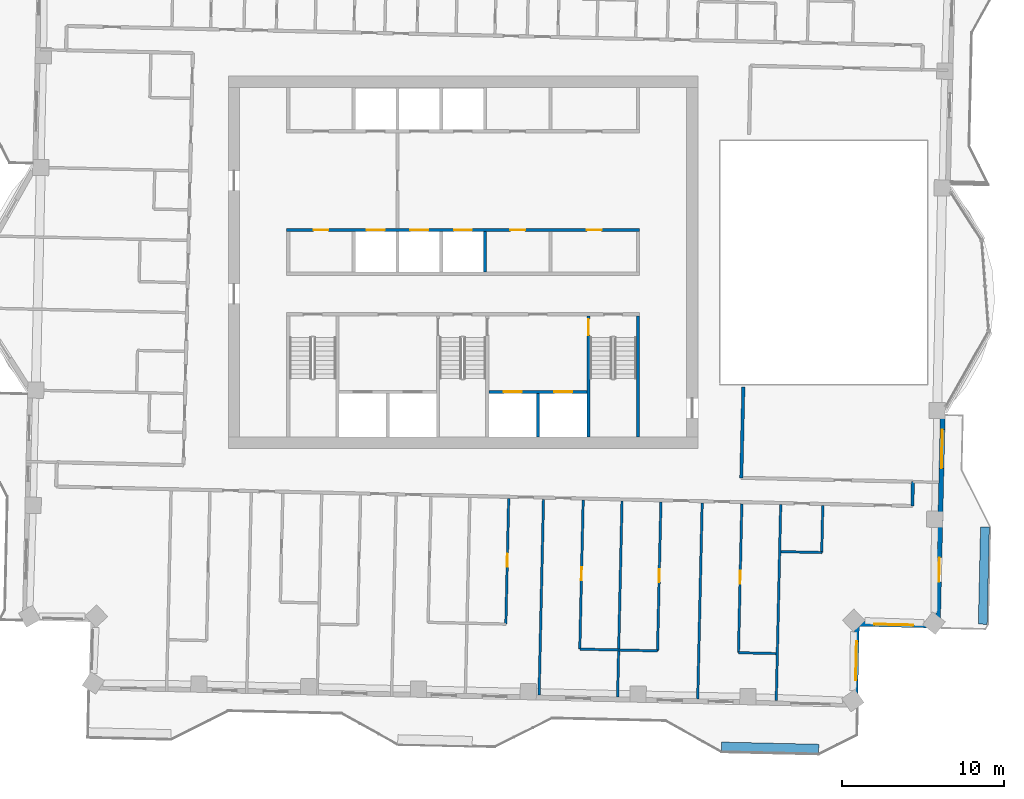
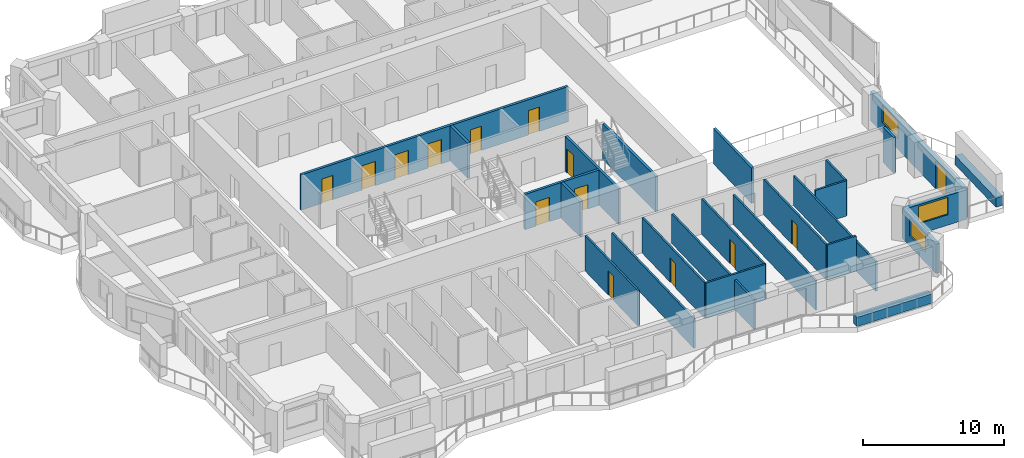
# One storey, part 9 of 17: 25 walls, 14 doors, 3 windows, 17 openings.
"""IFC4 building model written with IfcOpenShell, lengths in metres."""

from ifc_helpers import new_model, si_unit, direction, frame, frame_2d, origin, place, context, subcontext, project, spatial, rectangle, extrude, material, layer, layer_set, type_object, element, fill, save


model = new_model("IFC4")

# Units and contexts
model_context = context("Model", 3, precision=1e-05, world=origin(), true_north=direction((0.0, 1.0)))
body_context = subcontext(model_context, "Body", "Model", "MODEL_VIEW")
ifc_project = project(units=[si_unit("LENGTHUNIT", "METRE"), si_unit("AREAUNIT", "SQUARE_METRE"), si_unit("VOLUMEUNIT", "CUBIC_METRE"), si_unit("PLANEANGLEUNIT", "RADIAN"), si_unit("MASSUNIT", "GRAM", prefix="KILO")], contexts=[model_context])

# Site, building, storey
site_placement = place(None, origin())
site = spatial("IfcSite", under=ifc_project, at=site_placement, CompositionType="ELEMENT")
building_placement = place(site_placement, origin())
building = spatial("IfcBuilding", under=site, at=building_placement, Name="Mangrove Gate Tower", CompositionType="ELEMENT")
storey_placement = place(building_placement, frame((0.0, 0.0, 268.10009765625)))
storey = spatial("IfcBuildingStorey", under=building, at=storey_placement, Name="L68", CompositionType="ELEMENT", Elevation=268.10009765625)

# Wall, openings, doors
ifc_material_1 = material(Name="Concrete C50/60", Category="concrete")
ifc_layer_1 = layer(ifc_material_1, 0.199951171875)
ifc_layer_set_1 = layer_set([ifc_layer_1], Name="Core shaft wall 200 C50/60")
wall_type_1 = type_object("IfcWallType", Name="Core shaft wall 200 C50/60", PredefinedType="SHEAR", material=ifc_layer_set_1)
wall_1_placement = place(storey_placement, frame((-10.89990234375, 2.0, 0.0), z_axis=(0.0, 0.0, 1.0), x_axis=(1.0, 0.0, 0.0)))
wall_1 = element("IfcWall", 1, at=wall_1_placement, inside=storey, type_object=wall_type_1, Name="WALL-L68-CORE-7", PredefinedType="SHEAR", context=body_context, shape_type="SweptSolid", body=[
    extrude(rectangle(XDim=21.7998046875, YDim=0.199951171875, at=frame_2d((10.89990234375, 0.0))), origin(), (0.0, 0.0, 1.0), 3.0498046875),
])
opening_1_placement = place(wall_1_placement, frame((4.949951171875, 0.0, 0.0)))
opening_1 = element("IfcOpeningElement", 2, at=opening_1_placement, cuts=wall_1, Name="Opening LD", PredefinedType="OPENING", context=body_context, shape_type="SweptSolid", body=[
    extrude(rectangle(XDim=1.10009765625, YDim=2.10009765625, at=frame_2d((0.550048828125, 1.050048828125))), frame((0.0, 0.10986328125, 0.0), z_axis=(0.0, -1.0, 0.0), x_axis=(1.0, 0.0, 0.0)), (0.0, 0.0, 1.0), 0.219970703125),
])
opening_2_placement = place(wall_1_placement, frame((7.64990234375, 0.0, 0.0)))
opening_2 = element("IfcOpeningElement", 3, at=opening_2_placement, cuts=wall_1, Name="Opening LD", PredefinedType="OPENING", context=body_context, shape_type="SweptSolid", body=[
    extrude(rectangle(XDim=1.10009765625, YDim=2.10009765625, at=frame_2d((0.550048828125, 1.050048828125))), frame((0.0, 0.10986328125, 0.0), z_axis=(0.0, -1.0, 0.0), x_axis=(1.0, 0.0, 0.0)), (0.0, 0.0, 1.0), 0.219970703125),
])
opening_3_placement = place(wall_1_placement, frame((10.35009765625, 0.0, 0.0)))
opening_3 = element("IfcOpeningElement", 4, at=opening_3_placement, cuts=wall_1, Name="Opening LD", PredefinedType="OPENING", context=body_context, shape_type="SweptSolid", body=[
    extrude(rectangle(XDim=1.10009765625, YDim=2.10009765625, at=frame_2d((0.550048828125, 1.050048828125))), frame((0.0, 0.10986328125, 0.0), z_axis=(0.0, -1.0, 0.0), x_axis=(1.0, 0.0, 0.0)), (0.0, 0.0, 1.0), 0.219970703125),
])
opening_4_placement = place(wall_1_placement, frame((1.675048828125, 0.0, 0.0)))
opening_4 = element("IfcOpeningElement", 5, at=opening_4_placement, cuts=wall_1, Name="Opening KD", PredefinedType="OPENING", context=body_context, shape_type="SweptSolid", body=[
    extrude(rectangle(XDim=0.89990234375, YDim=2.10009765625, at=frame_2d((0.449951171875, 1.050048828125))), frame((0.0, 0.10986328125, 0.0), z_axis=(0.0, -1.0, 0.0), x_axis=(1.0, 0.0, 0.0)), (0.0, 0.0, 1.0), 0.219970703125),
])
opening_5_placement = place(wall_1_placement, frame((13.824951171875, 0.0, 0.0)))
opening_5 = element("IfcOpeningElement", 6, at=opening_5_placement, cuts=wall_1, Name="Opening RD", PredefinedType="OPENING", context=body_context, shape_type="SweptSolid", body=[
    extrude(rectangle(XDim=0.89990234375, YDim=2.10009765625, at=frame_2d((0.449951171875, 1.050048828125))), frame((0.0, 0.10986328125, 0.0), z_axis=(0.0, -1.0, 0.0), x_axis=(1.0, 0.0, 0.0)), (0.0, 0.0, 1.0), 0.219970703125),
])
opening_6_placement = place(wall_1_placement, frame((18.550048828125, 0.0, 0.0)))
opening_6 = element("IfcOpeningElement", 7, at=opening_6_placement, cuts=wall_1, Name="Opening KD", PredefinedType="OPENING", context=body_context, shape_type="SweptSolid", body=[
    extrude(rectangle(XDim=0.89990234375, YDim=2.10009765625, at=frame_2d((0.449951171875, 1.050048828125))), frame((0.0, 0.10986328125, 0.0), z_axis=(0.0, -1.0, 0.0), x_axis=(1.0, 0.0, 0.0)), (0.0, 0.0, 1.0), 0.219970703125),
])
ifc_material_2 = material(Name="Fire-rated steel door set", Category="steel")
door_type_1 = type_object("IfcDoorType", Name="Core room door FD30S 900x2100", OperationType="SINGLE_SWING_RIGHT", PredefinedType="DOOR", material=ifc_material_2)
door_1_placement = place(opening_4_placement, origin())
door_1 = element("IfcDoor", 8, at=door_1_placement, inside=storey, type_object=door_type_1, Name="Core room door Refuse store", OperationType="SINGLE_SWING_RIGHT", OverallHeight=2.10009765625, OverallWidth=0.89990234375, PredefinedType="DOOR", context=body_context, shape_type="SweptSolid", body=[
    extrude(rectangle(XDim=0.89990234375, YDim=2.10009765625, at=frame_2d((0.449951171875, 1.050048828125))), frame((0.0, 0.02490234375, 0.0), z_axis=(0.0, -1.0, 0.0), x_axis=(1.0, 0.0, 0.0)), (0.0, 0.0, 1.0), 0.050048828125),
])
fill(opening_4, door_1)
door_2_placement = place(opening_6_placement, origin())
door_2 = element("IfcDoor", 9, at=door_2_placement, inside=storey, type_object=door_type_1, Name="Core room door Linen store", OperationType="SINGLE_SWING_RIGHT", OverallHeight=2.10009765625, OverallWidth=0.89990234375, PredefinedType="DOOR", context=body_context, shape_type="SweptSolid", body=[
    extrude(rectangle(XDim=0.89990234375, YDim=2.10009765625, at=frame_2d((0.449951171875, 1.050048828125))), frame((0.0, 0.02490234375, 0.0), z_axis=(0.0, -1.0, 0.0), x_axis=(1.0, 0.0, 0.0)), (0.0, 0.0, 1.0), 0.050048828125),
])
fill(opening_6, door_2)
ifc_material_3 = material(Name="Stainless steel 316", Category="steel")
door_type_2 = type_object("IfcDoorType", Name="Lift landing door 1100x2100", OperationType="SLIDING_TO_LEFT", PredefinedType="DOOR", material=ifc_material_3)
door_3_placement = place(opening_1_placement, origin())
door_3 = element("IfcDoor", 10, at=door_3_placement, inside=storey, type_object=door_type_2, Name="Landing door LD H01", OperationType="SLIDING_TO_LEFT", OverallHeight=2.10009765625, OverallWidth=1.10009765625, PredefinedType="DOOR", context=body_context, shape_type="SweptSolid", body=[
    extrude(rectangle(XDim=1.10009765625, YDim=2.10009765625, at=frame_2d((0.550048828125, 1.050048828125))), frame((0.0, 0.02490234375, 0.0), z_axis=(0.0, -1.0, 0.0), x_axis=(1.0, 0.0, 0.0)), (0.0, 0.0, 1.0), 0.050048828125),
])
fill(opening_1, door_3)
door_4_placement = place(opening_2_placement, origin())
door_4 = element("IfcDoor", 11, at=door_4_placement, inside=storey, type_object=door_type_2, Name="Landing door LD H02", OperationType="SLIDING_TO_LEFT", OverallHeight=2.10009765625, OverallWidth=1.10009765625, PredefinedType="DOOR", context=body_context, shape_type="SweptSolid", body=[
    extrude(rectangle(XDim=1.10009765625, YDim=2.10009765625, at=frame_2d((0.550048828125, 1.050048828125))), frame((0.0, 0.02490234375, 0.0), z_axis=(0.0, -1.0, 0.0), x_axis=(1.0, 0.0, 0.0)), (0.0, 0.0, 1.0), 0.050048828125),
])
fill(opening_2, door_4)
door_5_placement = place(opening_3_placement, origin())
door_5 = element("IfcDoor", 12, at=door_5_placement, inside=storey, type_object=door_type_2, Name="Landing door LD H03", OperationType="SLIDING_TO_LEFT", OverallHeight=2.10009765625, OverallWidth=1.10009765625, PredefinedType="DOOR", context=body_context, shape_type="SweptSolid", body=[
    extrude(rectangle(XDim=1.10009765625, YDim=2.10009765625, at=frame_2d((0.550048828125, 1.050048828125))), frame((0.0, 0.02490234375, 0.0), z_axis=(0.0, -1.0, 0.0), x_axis=(1.0, 0.0, 0.0)), (0.0, 0.0, 1.0), 0.050048828125),
])
fill(opening_3, door_5)
ifc_material_4 = material(Name="Fire-rated steel door set", Category="steel")
door_type_3 = type_object("IfcDoorType", Name="Riser door FD30S 900x2100", OperationType="SINGLE_SWING_LEFT", PredefinedType="DOOR", material=ifc_material_4)
door_6_placement = place(opening_5_placement, origin())
door_6 = element("IfcDoor", 13, at=door_6_placement, inside=storey, type_object=door_type_3, Name="Riser door Electrical room", OperationType="SINGLE_SWING_LEFT", OverallHeight=2.10009765625, OverallWidth=0.89990234375, PredefinedType="DOOR", context=body_context, shape_type="SweptSolid", body=[
    extrude(rectangle(XDim=0.89990234375, YDim=2.10009765625, at=frame_2d((0.449951171875, 1.050048828125))), frame((0.0, 0.02490234375, 0.0), z_axis=(0.0, -1.0, 0.0), x_axis=(1.0, 0.0, 0.0)), (0.0, 0.0, 1.0), 0.050048828125),
])
fill(opening_5, door_6)

wall_2_placement = place(storey_placement, frame((1.60009765625, -8.0, 0.0), z_axis=(0.0, 0.0, 1.0), x_axis=(1.0, 0.0, 0.0)))
wall_2 = element("IfcWall", 14, at=wall_2_placement, inside=storey, type_object=wall_type_1, Name="WALL-L68-CORE-17", PredefinedType="SHEAR", context=body_context, shape_type="SweptSolid", body=[
    extrude(rectangle(XDim=6.0498046875, YDim=0.199951171875, at=frame_2d((3.02490234375, 0.0))), origin(), (0.0, 0.0, 1.0), 3.0498046875),
])
opening_7_placement = place(wall_2_placement, frame((0.91259765625, 0.0, 0.0)))
opening_7 = element("IfcOpeningElement", 15, at=opening_7_placement, cuts=wall_2, Name="Opening LD", PredefinedType="OPENING", context=body_context, shape_type="SweptSolid", body=[
    extrude(rectangle(XDim=1.10009765625, YDim=2.10009765625, at=frame_2d((0.550048828125, 1.050048828125))), frame((0.0, 0.10986328125, 0.0), z_axis=(0.0, -1.0, 0.0), x_axis=(1.0, 0.0, 0.0)), (0.0, 0.0, 1.0), 0.219970703125),
])
opening_8_placement = place(wall_2_placement, frame((4.03759765625, 0.0, 0.0)))
opening_8 = element("IfcOpeningElement", 16, at=opening_8_placement, cuts=wall_2, Name="Opening LD", PredefinedType="OPENING", context=body_context, shape_type="SweptSolid", body=[
    extrude(rectangle(XDim=1.10009765625, YDim=2.10009765625, at=frame_2d((0.550048828125, 1.050048828125))), frame((0.0, 0.10986328125, 0.0), z_axis=(0.0, -1.0, 0.0), x_axis=(1.0, 0.0, 0.0)), (0.0, 0.0, 1.0), 0.219970703125),
])
door_7_placement = place(opening_7_placement, origin())
door_7 = element("IfcDoor", 17, at=door_7_placement, inside=storey, type_object=door_type_2, Name="Landing door LD FFL1", OperationType="SLIDING_TO_LEFT", OverallHeight=2.10009765625, OverallWidth=1.10009765625, PredefinedType="DOOR", context=body_context, shape_type="SweptSolid", body=[
    extrude(rectangle(XDim=1.10009765625, YDim=2.10009765625, at=frame_2d((0.550048828125, 1.050048828125))), frame((0.0, 0.02490234375, 0.0), z_axis=(0.0, -1.0, 0.0), x_axis=(1.0, 0.0, 0.0)), (0.0, 0.0, 1.0), 0.050048828125),
])
fill(opening_7, door_7)
door_8_placement = place(opening_8_placement, origin())
door_8 = element("IfcDoor", 18, at=door_8_placement, inside=storey, type_object=door_type_2, Name="Landing door LD FFL2", OperationType="SLIDING_TO_LEFT", OverallHeight=2.10009765625, OverallWidth=1.10009765625, PredefinedType="DOOR", context=body_context, shape_type="SweptSolid", body=[
    extrude(rectangle(XDim=1.10009765625, YDim=2.10009765625, at=frame_2d((0.550048828125, 1.050048828125))), frame((0.0, 0.02490234375, 0.0), z_axis=(0.0, -1.0, 0.0), x_axis=(1.0, 0.0, 0.0)), (0.0, 0.0, 1.0), 0.050048828125),
])
fill(opening_8, door_8)

# Walls
wall_3_placement = place(storey_placement, frame((4.625, -10.800048828125, 0.0), z_axis=(0.0, 0.0, 1.0), x_axis=(0.0, 1.0, 0.0)))
element("IfcWall", 19, at=wall_3_placement, inside=storey, type_object=wall_type_1, Name="WALL-L68-CORE-18", PredefinedType="SHEAR", context=body_context, shape_type="SweptSolid", body=[
    extrude(rectangle(XDim=2.699951171875, YDim=0.199951171875, at=frame_2d((1.35009765625, 0.0))), origin(), (0.0, 0.0, 1.0), 3.0498046875),
])
wall_4_placement = place(storey_placement, frame((1.35009765625, -0.60009765625, 0.0), z_axis=(0.0, 0.0, 1.0), x_axis=(0.0, 1.0, 0.0)))
element("IfcWall", 20, at=wall_4_placement, inside=storey, type_object=wall_type_1, Name="WALL-L68-CORE-23", PredefinedType="SHEAR", context=body_context, shape_type="SweptSolid", body=[
    extrude(rectangle(XDim=2.5, YDim=0.199951171875, at=frame_2d((1.25, 0.0))), origin(), (0.0, 0.0, 1.0), 3.0498046875),
])

# Wall, opening, door
ifc_material_5 = material(Name="Concrete C50/60", Category="concrete")
ifc_layer_2 = layer(ifc_material_5, 0.199951171875)
ifc_layer_set_2 = layer_set([ifc_layer_2], Name="Core stair wall 200 C50/60")
wall_type_2 = type_object("IfcWallType", Name="Core stair wall 200 C50/60", PredefinedType="SHEAR", material=ifc_layer_set_2)
wall_5_placement = place(storey_placement, frame((7.75, -10.800048828125, 0.0), z_axis=(0.0, 0.0, 1.0), x_axis=(0.0, 1.0, 0.0)))
wall_5 = element("IfcWall", 21, at=wall_5_placement, inside=storey, type_object=wall_type_2, Name="WALL-L68-CORE-13", PredefinedType="SHEAR", context=body_context, shape_type="SweptSolid", body=[
    extrude(rectangle(XDim=7.5, YDim=0.199951171875, at=frame_2d((3.75, 0.0))), origin(), (0.0, 0.0, 1.0), 3.0498046875),
])
opening_9_placement = place(wall_5_placement, frame((6.300048828125, 0.0, 0.0)))
opening_9 = element("IfcOpeningElement", 22, at=opening_9_placement, cuts=wall_5, Name="Opening STD10", PredefinedType="OPENING", context=body_context, shape_type="SweptSolid", body=[
    extrude(rectangle(XDim=1.0, YDim=2.10009765625, at=frame_2d((0.5, 1.050048828125))), frame((0.0, 0.10986328125, 0.0), z_axis=(0.0, -1.0, 0.0), x_axis=(1.0, 0.0, 0.0)), (0.0, 0.0, 1.0), 0.219970703125),
])
ifc_material_6 = material(Name="Fire-rated steel door set", Category="steel")
door_type_4 = type_object("IfcDoorType", Name="Stair door FD60 1000x2100", OperationType="SINGLE_SWING_RIGHT", PredefinedType="DOOR", material=ifc_material_6)
door_9_placement = place(opening_9_placement, origin())
door_9 = element("IfcDoor", 23, at=door_9_placement, inside=storey, type_object=door_type_4, Name="Stair door Stair 3 from fire-fighting lobby", OperationType="SINGLE_SWING_RIGHT", OverallHeight=2.10009765625, OverallWidth=1.0, PredefinedType="DOOR", context=body_context, shape_type="SweptSolid", body=[
    extrude(rectangle(XDim=1.0, YDim=2.10009765625, at=frame_2d((0.5, 1.050048828125))), frame((0.0, 0.02490234375, 0.0), z_axis=(0.0, -1.0, 0.0), x_axis=(1.0, 0.0, 0.0)), (0.0, 0.0, 1.0), 0.050048828125),
])
fill(opening_9, door_9)

# Walls
wall_6_placement = place(storey_placement, frame((10.800048828125, -10.800048828125, 0.0), z_axis=(0.0, 0.0, 1.0), x_axis=(0.0, 1.0, 0.0)))
element("IfcWall", 24, at=wall_6_placement, inside=storey, type_object=wall_type_2, Name="WALL-L68-CORE-14", PredefinedType="SHEAR", context=body_context, shape_type="SweptSolid", body=[
    extrude(rectangle(XDim=7.5, YDim=0.199951171875, at=frame_2d((3.75, 0.0))), origin(), (0.0, 0.0, 1.0), 3.0498046875),
])
ifc_material_7 = material(Name="Gypsum board on steel stud, EI 60", Category="steel")
ifc_layer_3 = layer(ifc_material_7, 0.199951171875)
ifc_layer_set_3 = layer_set([ifc_layer_3], Name="Corridor wall EI 60")
wall_type_3 = type_object("IfcWallType", Name="Corridor wall EI 60", PredefinedType="PARTITIONING", material=ifc_layer_set_3)
wall_7_placement = place(storey_placement, frame((27.742919921875, -15.047119140625, 0.0), z_axis=(0.0, 0.0, 1.0), x_axis=(0.022780545013, 0.999740489712, 0.0)))
element("IfcWall", 25, at=wall_7_placement, inside=storey, type_object=wall_type_3, Name="WALL-L68-028", PredefinedType="PARTITIONING", context=body_context, shape_type="SweptSolid", body=[
    extrude(rectangle(XDim=1.50048828125, YDim=0.199951171875, at=frame_2d((0.750244140625, 0.0))), origin(), (0.0, 0.0, 1.0), 3.0498046875),
])
wall_8_placement = place(storey_placement, frame((17.179931640625, -13.305908203125, 0.0), z_axis=(0.0, 0.0, 1.0), x_axis=(0.022584272568, 0.999744942789, 0.0)))
element("IfcWall", 26, at=wall_8_placement, inside=storey, type_object=wall_type_3, Name="WALL-L68-033", PredefinedType="PARTITIONING", context=body_context, shape_type="SweptSolid", body=[
    extrude(rectangle(XDim=5.621337890625, YDim=0.199951171875, at=frame_2d((2.810546875, 0.0))), origin(), (0.0, 0.0, 1.0), 3.0498046875),
])

# Wall, openings, door, window
ifc_material_8 = material(Name="Limestone", Category="masonry")
ifc_layer_4 = layer(ifc_material_8, 0.0400390625, Name="Limestone cladding")
ifc_material_9 = material(Name="Ventilated air gap")
ifc_layer_5 = layer(ifc_material_9, 0.0400390625, Name="Ventilated cavity")
ifc_material_10 = material(Name="Mineral wool insulation")
ifc_layer_6 = layer(ifc_material_10, 0.06005859375, Name="Insulation")
ifc_material_11 = material(Name="Breather membrane")
ifc_layer_7 = layer(ifc_material_11, 0.001953125, Name="Breather membrane")
ifc_material_12 = material(Name="Concrete C20/25 blockwork", Category="masonry")
ifc_layer_8 = layer(ifc_material_12, 0.14990234375, Name="Blockwork backing wall")
ifc_material_13 = material(Name="Gypsum plaster")
ifc_layer_9 = layer(ifc_material_13, 0.008056640625, Name="Internal plaster")
ifc_layer_set_4 = layer_set([ifc_layer_4, ifc_layer_5, ifc_layer_6, ifc_layer_7, ifc_layer_8, ifc_layer_9], Name="External wall 300 limestone cladding")
wall_type_4 = type_object("IfcWallType", Name="External wall 300 limestone cladding", PredefinedType="SOLIDWALL", material=ifc_layer_set_4)
wall_9_placement = place(storey_placement, frame((29.322021484375, -22.43408203125, 0.0), z_axis=(0.0, 0.0, 1.0), x_axis=(0.022651350875, 0.999743425236, 0.0)))
wall_9 = element("IfcWall", 27, at=wall_9_placement, inside=storey, type_object=wall_type_4, Name="WALL-L68-E0s1", PredefinedType="SOLIDWALL", context=body_context, shape_type="SweptSolid", body=[
    extrude(rectangle(XDim=13.7744140625, YDim=0.300048828125, at=frame_2d((6.88720703125, 0.0))), origin(), (0.0, 0.0, 1.0), 2.5498046875),
])
opening_10_placement = place(wall_9_placement, frame((2.705078125, 0.0, 0.0)))
opening_10 = element("IfcOpeningElement", 28, at=opening_10_placement, cuts=wall_9, Name="Opening BD1", PredefinedType="OPENING", context=body_context, shape_type="SweptSolid", body=[
    extrude(rectangle(XDim=1.5, YDim=2.39990234375, at=frame_2d((0.75, 1.199951171875))), frame((0.0, 0.159912109375, 0.0), z_axis=(0.0, -1.0, 0.0), x_axis=(1.0, 0.0, 0.0)), (0.0, 0.0, 1.0), 0.320068359375),
])
opening_11_placement = place(wall_9_placement, frame((9.712890625, 0.0, 0.89990234375)))
opening_11 = element("IfcOpeningElement", 29, at=opening_11_placement, cuts=wall_9, Name="Opening W2", PredefinedType="OPENING", context=body_context, shape_type="SweptSolid", body=[
    extrude(rectangle(XDim=2.39990234375, YDim=1.5, at=frame_2d((1.199951171875, 0.75))), frame((0.0, 0.159912109375, 0.0), z_axis=(0.0, -1.0, 0.0), x_axis=(1.0, 0.0, 0.0)), (0.0, 0.0, 1.0), 0.320068359375),
])
ifc_material_14 = material(Name="Aluminium frame with laminated clear glass", Category="aluminium")
door_type_5 = type_object("IfcDoorType", Name="Balcony sliding door 1500x2400", OperationType="SLIDING_TO_LEFT", PredefinedType="DOOR", material=ifc_material_14)
door_10_placement = place(opening_10_placement, origin())
door_10 = element("IfcDoor", 30, at=door_10_placement, inside=storey, type_object=door_type_5, Name="DOOR-L68-E0-1", OperationType="SLIDING_TO_LEFT", OverallHeight=2.39990234375, OverallWidth=1.5, PredefinedType="DOOR", context=body_context, shape_type="SweptSolid", body=[
    extrude(rectangle(XDim=1.5, YDim=2.39990234375, at=frame_2d((0.75, 1.199951171875))), frame((0.0, 0.02490234375, 0.0), z_axis=(0.0, -1.0, 0.0), x_axis=(1.0, 0.0, 0.0)), (0.0, 0.0, 1.0), 0.050048828125),
])
fill(opening_10, door_10)
ifc_material_15 = material(Name="Aluminium frame with double-glazed low-e glass", Category="aluminium")
window_type = type_object("IfcWindowType", Name="Corner room window 2400x1500", PartitioningType="DOUBLE_PANEL_VERTICAL", PredefinedType="WINDOW", material=ifc_material_15)
window_1_placement = place(opening_11_placement, origin())
window_1 = element("IfcWindow", 31, at=window_1_placement, inside=storey, type_object=window_type, Name="WIN-L68-E0-2", OverallHeight=1.5, OverallWidth=2.39990234375, PartitioningType="DOUBLE_PANEL_VERTICAL", PredefinedType="WINDOW", context=body_context, shape_type="SweptSolid", body=[
    extrude(rectangle(XDim=2.39990234375, YDim=1.5, at=frame_2d((1.199951171875, 0.75))), frame((0.0, 0.030029296875, 0.0), z_axis=(0.0, -1.0, 0.0), x_axis=(1.0, 0.0, 0.0)), (0.0, 0.0, 1.0), 0.06005859375),
])
fill(opening_11, window_1)

# Wall, opening, window
wall_10_placement = place(storey_placement, frame((24.208984375, -27.320068359375, 0.0), z_axis=(0.0, 0.0, 1.0), x_axis=(0.022801259434, 0.999740017489, 0.0)))
wall_10 = element("IfcWall", 32, at=wall_10_placement, inside=storey, type_object=wall_type_4, Name="WALL-L68-E14", PredefinedType="SOLIDWALL", context=body_context, shape_type="SweptSolid", body=[
    extrude(rectangle(XDim=5.000244140625, YDim=0.300048828125, at=frame_2d((2.5, 0.0))), origin(), (0.0, 0.0, 1.0), 2.5498046875),
])
opening_12_placement = place(wall_10_placement, frame((1.52392578125, 0.0, 0.89990234375)))
opening_12 = element("IfcOpeningElement", 33, at=opening_12_placement, cuts=wall_10, Name="Opening W2", PredefinedType="OPENING", context=body_context, shape_type="SweptSolid", body=[
    extrude(rectangle(XDim=2.39990234375, YDim=1.5, at=frame_2d((1.199951171875, 0.75))), frame((0.0, 0.159912109375, 0.0), z_axis=(0.0, -1.0, 0.0), x_axis=(1.0, 0.0, 0.0)), (0.0, 0.0, 1.0), 0.320068359375),
])
window_2_placement = place(opening_12_placement, origin())
window_2 = element("IfcWindow", 34, at=window_2_placement, inside=storey, type_object=window_type, Name="WIN-L68-E14-1", OverallHeight=1.5, OverallWidth=2.39990234375, PartitioningType="DOUBLE_PANEL_VERTICAL", PredefinedType="WINDOW", context=body_context, shape_type="SweptSolid", body=[
    extrude(rectangle(XDim=2.39990234375, YDim=1.5, at=frame_2d((1.199951171875, 0.75))), frame((0.0, 0.030029296875, 0.0), z_axis=(0.0, -1.0, 0.0), x_axis=(1.0, 0.0, 0.0)), (0.0, 0.0, 1.0), 0.06005859375),
])
fill(opening_12, window_2)

wall_11_placement = place(storey_placement, frame((24.322998046875, -22.321044921875, 0.0), z_axis=(0.0, 0.0, 1.0), x_axis=(0.999744450377, -0.022606059803, 0.0)))
wall_11 = element("IfcWall", 35, at=wall_11_placement, inside=storey, type_object=wall_type_4, Name="WALL-L68-S15", PredefinedType="SOLIDWALL", context=body_context, shape_type="SweptSolid", body=[
    extrude(rectangle(XDim=5.000244140625, YDim=0.300048828125, at=frame_2d((2.5, 0.0))), origin(), (0.0, 0.0, 1.0), 2.5498046875),
])
opening_13_placement = place(wall_11_placement, frame((1.075927734375, 0.0, 0.89990234375)))
opening_13 = element("IfcOpeningElement", 36, at=opening_13_placement, cuts=wall_11, Name="Opening W2", PredefinedType="OPENING", context=body_context, shape_type="SweptSolid", body=[
    extrude(rectangle(XDim=2.39990234375, YDim=1.5, at=frame_2d((1.199951171875, 0.75))), frame((0.0, 0.159912109375, 0.0), z_axis=(0.0, -1.0, 0.0), x_axis=(1.0, 0.0, 0.0)), (0.0, 0.0, 1.0), 0.320068359375),
])
window_3_placement = place(opening_13_placement, origin())
window_3 = element("IfcWindow", 37, at=window_3_placement, inside=storey, type_object=window_type, Name="WIN-L68-S15-1", OverallHeight=1.5, OverallWidth=2.39990234375, PartitioningType="DOUBLE_PANEL_VERTICAL", PredefinedType="WINDOW", context=body_context, shape_type="SweptSolid", body=[
    extrude(rectangle(XDim=2.39990234375, YDim=1.5, at=frame_2d((1.199951171875, 0.75))), frame((0.0, 0.030029296875, 0.0), z_axis=(0.0, -1.0, 0.0), x_axis=(1.0, 0.0, 0.0)), (0.0, 0.0, 1.0), 0.06005859375),
])
fill(opening_13, window_3)

# Walls
ifc_material_16 = material(Name="Gypsum board on steel stud, EI 60", Category="steel")
ifc_layer_10 = layer(ifc_material_16, 0.14990234375)
ifc_layer_set_5 = layer_set([ifc_layer_10], Name="Party wall 150 EI 60")
wall_type_5 = type_object("IfcWallType", Name="Party wall 150 EI 60", PredefinedType="PARTITIONING", material=ifc_layer_set_5)
wall_12_placement = place(storey_placement, frame((4.69189453125, -26.72705078125, 0.0), z_axis=(0.0, 0.0, 1.0), x_axis=(0.022658157282, 0.999743270999, 0.0)))
element("IfcWall", 38, at=wall_12_placement, inside=storey, type_object=wall_type_5, Name="WALL-L68-006", PredefinedType="PARTITIONING", context=body_context, shape_type="SweptSolid", body=[
    extrude(rectangle(XDim=12.100341796875, YDim=0.14990234375, at=frame_2d((6.05029296875, 0.0))), origin(), (0.0, 0.0, 1.0), 2.5498046875),
])
for number, where, z_axis, x_axis, name in (
    (39, (9.541015625, -26.8369140625, 0.0), (0.0, 0.0, 1.0), (0.02263844782, 0.9997437175, 0.0), "WALL-L68-007"),
    (40, (14.489013671875, -26.948974609375, 0.0), (0.0, 0.0, 1.0), (0.022719113715, 0.999741887625, 0.0), "WALL-L68-008"),
):
    element("IfcWall", number, at=place(storey_placement, frame(where, z_axis=z_axis, x_axis=x_axis)), inside=storey, type_object=wall_type_5, Name=name, PredefinedType="PARTITIONING", context=body_context, shape_type="SweptSolid", body=[
        extrude(rectangle(XDim=12.10009765625, YDim=0.14990234375, at=frame_2d((6.050048828125, 0.0))), origin(), (0.0, 0.0, 1.0), 2.5498046875),
    ])
wall_13_placement = place(storey_placement, frame((19.337890625, -27.05908203125, 0.0), z_axis=(0.0, 0.0, 1.0), x_axis=(0.022738821441, 0.999741439573, 0.0)))
element("IfcWall", 41, at=wall_13_placement, inside=storey, type_object=wall_type_5, Name="WALL-L68-009", PredefinedType="PARTITIONING", context=body_context, shape_type="SweptSolid", body=[
    extrude(rectangle(XDim=12.100341796875, YDim=0.14990234375, at=frame_2d((6.05029296875, 0.0))), origin(), (0.0, 0.0, 1.0), 2.5498046875),
])

# Wall, opening, door
wall_14_placement = place(storey_placement, frame((7.20703125, -23.883056640625, 0.0), z_axis=(0.0, 0.0, 1.0), x_axis=(0.02271477479, 0.999741986218, 0.0)))
wall_14 = element("IfcWall", 42, at=wall_14_placement, inside=storey, type_object=wall_type_5, Name="WALL-L68-012", PredefinedType="PARTITIONING", context=body_context, shape_type="SweptSolid", body=[
    extrude(rectangle(XDim=9.200439453125, YDim=0.14990234375, at=frame_2d((4.60009765625, 0.0))), origin(), (0.0, 0.0, 1.0), 3.0498046875),
])
opening_14_placement = place(wall_14_placement, frame((4.25, 0.0, 0.0)))
opening_14 = element("IfcOpeningElement", 43, at=opening_14_placement, cuts=wall_14, Name="Opening ED", PredefinedType="OPENING", context=body_context, shape_type="SweptSolid", body=[
    extrude(rectangle(XDim=0.800048828125, YDim=2.10009765625, at=frame_2d((0.39990234375, 1.050048828125))), frame((0.0, 0.0849609375, 0.0), z_axis=(0.0, -1.0, 0.0), x_axis=(1.0, 0.0, 0.0)), (0.0, 0.0, 1.0), 0.169921875),
])
ifc_material_17 = material(Name="Timber door leaf", Category="wood")
door_type_6 = type_object("IfcDoorType", Name="En-suite door 800", OperationType="SINGLE_SWING_LEFT", PredefinedType="DOOR", material=ifc_material_17)
door_11_placement = place(opening_14_placement, origin())
door_11 = element("IfcDoor", 44, at=door_11_placement, inside=storey, type_object=door_type_6, Name="DOOR-L68-ENS-c206", OperationType="SINGLE_SWING_RIGHT", OverallHeight=2.10009765625, OverallWidth=0.800048828125, PredefinedType="DOOR", context=body_context, shape_type="SweptSolid", body=[
    extrude(rectangle(XDim=0.800048828125, YDim=2.10009765625, at=frame_2d((0.39990234375, 1.050048828125))), frame((0.0, 0.02490234375, 0.0), z_axis=(0.0, -1.0, 0.0), x_axis=(1.0, 0.0, 0.0)), (0.0, 0.0, 1.0), 0.050048828125),
])
fill(opening_14, door_11)

# Wall
wall_15_placement = place(storey_placement, frame((7.2109375, -23.883056640625, 0.0), z_axis=(0.0, 0.0, 1.0), x_axis=(0.999742701292, -0.022683280499, 0.0)))
element("IfcWall", 45, at=wall_15_placement, inside=storey, type_object=wall_type_5, Name="WALL-L68-013", PredefinedType="PARTITIONING", context=body_context, shape_type="SweptSolid", body=[
    extrude(rectangle(XDim=4.80029296875, YDim=0.14990234375, at=frame_2d((2.400146484375, 0.0))), origin(), (0.0, 0.0, 1.0), 3.0498046875),
])

# Wall, opening, door
wall_16_placement = place(storey_placement, frame((12.006103515625, -23.991943359375, 0.0), z_axis=(0.0, 0.0, 1.0), x_axis=(0.02271477479, 0.999741986218, 0.0)))
wall_16 = element("IfcWall", 46, at=wall_16_placement, inside=storey, type_object=wall_type_5, Name="WALL-L68-014", PredefinedType="PARTITIONING", context=body_context, shape_type="SweptSolid", body=[
    extrude(rectangle(XDim=9.200439453125, YDim=0.14990234375, at=frame_2d((4.60009765625, 0.0))), origin(), (0.0, 0.0, 1.0), 3.0498046875),
])
opening_15_placement = place(wall_16_placement, frame((4.25, 0.0, 0.0)))
opening_15 = element("IfcOpeningElement", 47, at=opening_15_placement, cuts=wall_16, Name="Opening ED", PredefinedType="OPENING", context=body_context, shape_type="SweptSolid", body=[
    extrude(rectangle(XDim=0.800048828125, YDim=2.10009765625, at=frame_2d((0.39990234375, 1.050048828125))), frame((0.0, 0.0849609375, 0.0), z_axis=(0.0, -1.0, 0.0), x_axis=(1.0, 0.0, 0.0)), (0.0, 0.0, 1.0), 0.169921875),
])
door_12_placement = place(opening_15_placement, origin())
door_12 = element("IfcDoor", 48, at=door_12_placement, inside=storey, type_object=door_type_6, Name="DOOR-L68-ENS-c207", OperationType="SINGLE_SWING_LEFT", OverallHeight=2.10009765625, OverallWidth=0.800048828125, PredefinedType="DOOR", context=body_context, shape_type="SweptSolid", body=[
    extrude(rectangle(XDim=0.800048828125, YDim=2.10009765625, at=frame_2d((0.39990234375, 1.050048828125))), frame((0.0, 0.02490234375, 0.0), z_axis=(0.0, -1.0, 0.0), x_axis=(1.0, 0.0, 0.0)), (0.0, 0.0, 1.0), 0.050048828125),
])
fill(opening_15, door_12)

wall_17_placement = place(storey_placement, frame((17.0048828125, -24.10498046875, 0.0), z_axis=(0.0, 0.0, 1.0), x_axis=(0.022611084784, 0.999744336741, 0.0)))
wall_17 = element("IfcWall", 49, at=wall_17_placement, inside=storey, type_object=wall_type_5, Name="WALL-L68-015", PredefinedType="PARTITIONING", context=body_context, shape_type="SweptSolid", body=[
    extrude(rectangle(XDim=9.199462890625, YDim=0.14990234375, at=frame_2d((4.599609375, 0.0))), origin(), (0.0, 0.0, 1.0), 3.0498046875),
])
opening_16_placement = place(wall_17_placement, frame((4.25, 0.0, 0.0)))
opening_16 = element("IfcOpeningElement", 50, at=opening_16_placement, cuts=wall_17, Name="Opening ED", PredefinedType="OPENING", context=body_context, shape_type="SweptSolid", body=[
    extrude(rectangle(XDim=0.800048828125, YDim=2.10009765625, at=frame_2d((0.39990234375, 1.050048828125))), frame((0.0, 0.0849609375, 0.0), z_axis=(0.0, -1.0, 0.0), x_axis=(1.0, 0.0, 0.0)), (0.0, 0.0, 1.0), 0.169921875),
])
door_13_placement = place(opening_16_placement, origin())
door_13 = element("IfcDoor", 51, at=door_13_placement, inside=storey, type_object=door_type_6, Name="DOOR-L68-ENS-c308", OperationType="SINGLE_SWING_RIGHT", OverallHeight=2.10009765625, OverallWidth=0.800048828125, PredefinedType="DOOR", context=body_context, shape_type="SweptSolid", body=[
    extrude(rectangle(XDim=0.800048828125, YDim=2.10009765625, at=frame_2d((0.39990234375, 1.050048828125))), frame((0.0, 0.02490234375, 0.0), z_axis=(0.0, -1.0, 0.0), x_axis=(1.0, 0.0, 0.0)), (0.0, 0.0, 1.0), 0.050048828125),
])
fill(opening_16, door_13)

# Wall
wall_18_placement = place(storey_placement, frame((17.009033203125, -24.10498046875, 0.0), z_axis=(0.0, 0.0, 1.0), x_axis=(0.999740260747, -0.02279059109, 0.0)))
element("IfcWall", 52, at=wall_18_placement, inside=storey, type_object=wall_type_5, Name="WALL-L68-016", PredefinedType="PARTITIONING", context=body_context, shape_type="SweptSolid", body=[
    extrude(rectangle(XDim=2.324462890625, YDim=0.14990234375, at=frame_2d((1.162109375, 0.0))), origin(), (0.0, 0.0, 1.0), 3.0498046875),
])

# Wall, opening, door
wall_19_placement = place(storey_placement, frame((2.64111328125, -22.339111328125, 0.0), z_axis=(0.0, 0.0, 1.0), x_axis=(0.022652083401, 0.999743408639, 0.0)))
wall_19 = element("IfcWall", 53, at=wall_19_placement, inside=storey, type_object=wall_type_5, Name="WALL-L68-021", PredefinedType="PARTITIONING", context=body_context, shape_type="SweptSolid", body=[
    extrude(rectangle(XDim=7.760009765625, YDim=0.14990234375, at=frame_2d((3.8798828125, 0.0))), origin(), (0.0, 0.0, 1.0), 3.0498046875),
])
opening_17_placement = place(wall_19_placement, frame((3.530029296875, 0.0, 0.0)))
opening_17 = element("IfcOpeningElement", 54, at=opening_17_placement, cuts=wall_19, Name="Opening ED", PredefinedType="OPENING", context=body_context, shape_type="SweptSolid", body=[
    extrude(rectangle(XDim=0.800048828125, YDim=2.10009765625, at=frame_2d((0.39990234375, 1.050048828125))), frame((0.0, 0.0849609375, 0.0), z_axis=(0.0, -1.0, 0.0), x_axis=(1.0, 0.0, 0.0)), (0.0, 0.0, 1.0), 0.169921875),
])
door_14_placement = place(opening_17_placement, origin())
door_14 = element("IfcDoor", 55, at=door_14_placement, inside=storey, type_object=door_type_6, Name="DOOR-L68-ENS-c205", OperationType="SINGLE_SWING_LEFT", OverallHeight=2.10009765625, OverallWidth=0.800048828125, PredefinedType="DOOR", context=body_context, shape_type="SweptSolid", body=[
    extrude(rectangle(XDim=0.800048828125, YDim=2.10009765625, at=frame_2d((0.39990234375, 1.050048828125))), frame((0.0, 0.02490234375, 0.0), z_axis=(0.0, -1.0, 0.0), x_axis=(1.0, 0.0, 0.0)), (0.0, 0.0, 1.0), 0.050048828125),
])
fill(opening_17, door_14)

# Walls
wall_20_placement = place(storey_placement, frame((19.6259765625, -17.863037109375, 0.0), z_axis=(0.0, 0.0, 1.0), x_axis=(0.9997461113, -0.022532486354, 0.0)))
element("IfcWall", 56, at=wall_20_placement, inside=storey, type_object=wall_type_5, Name="WALL-L68-024", PredefinedType="PARTITIONING", context=body_context, shape_type="SweptSolid", body=[
    extrude(rectangle(XDim=2.524658203125, YDim=0.14990234375, at=frame_2d((1.26220703125, 0.0))), origin(), (0.0, 0.0, 1.0), 3.0498046875),
])
wall_21_placement = place(storey_placement, frame((22.14599609375, -17.919921875, 0.0), z_axis=(0.0, 0.0, 1.0), x_axis=(0.022732880677, 0.999741574676, 0.0)))
element("IfcWall", 57, at=wall_21_placement, inside=storey, type_object=wall_type_5, Name="WALL-L68-025", PredefinedType="PARTITIONING", context=body_context, shape_type="SweptSolid", body=[
    extrude(rectangle(XDim=2.899658203125, YDim=0.14990234375, at=frame_2d((1.44970703125, 0.0))), origin(), (0.0, 0.0, 1.0), 3.0498046875),
])
ifc_material_18 = material(Name="Concrete C32/40", Category="concrete")
ifc_layer_11 = layer(ifc_material_18, 0.199951171875, Name="Planter trough wall")
ifc_material_19 = material(Name="Bituminous waterproofing membrane")
ifc_layer_12 = layer(ifc_material_19, 0.0048828125, Name="Waterproofing")
ifc_material_20 = material(Name="Drainage board and gravel")
ifc_layer_13 = layer(ifc_material_20, 0.044921875, Name="Drainage layer")
ifc_material_21 = material(Name="Planting soil")
ifc_layer_14 = layer(ifc_material_21, 0.300048828125, Name="Growing medium")
ifc_layer_set_6 = layer_set([ifc_layer_11, ifc_layer_12, ifc_layer_13, ifc_layer_14], Name="Planter wall 550 C32/40")
wall_type_6 = type_object("IfcWallType", Name="Planter wall 550 C32/40", PredefinedType="USERDEFINED", material=ifc_layer_set_6)
wall_22_placement = place(storey_placement, frame((32.089111328125, -22.346923828125, 0.0), z_axis=(0.0, 0.0, 1.0), x_axis=(0.022666865795, 0.999743073592, 0.0)))
element("IfcWall", 58, at=wall_22_placement, inside=storey, type_object=wall_type_6, Name="PLANTER L68 E0.1", ObjectType="PLANTER", PredefinedType="USERDEFINED", context=body_context, shape_type="SweptSolid", body=[
    extrude(rectangle(XDim=5.999267578125, YDim=0.550048828125, at=frame_2d((2.99951171875, 0.0))), origin(), (0.0, 0.0, 1.0), 0.7998046875),
])
wall_23_placement = place(storey_placement, frame((15.962890625, -29.89794921875, 0.0), z_axis=(0.0, 0.0, 1.0), x_axis=(0.999743094499, -0.022665943652, 0.0)))
element("IfcWall", 59, at=wall_23_placement, inside=storey, type_object=wall_type_6, Name="PLANTER L68 S1.1", ObjectType="PLANTER", PredefinedType="USERDEFINED", context=body_context, shape_type="SweptSolid", body=[
    extrude(rectangle(XDim=5.99951171875, YDim=0.550048828125, at=frame_2d((2.999755859375, 0.0))), origin(), (0.0, 0.0, 1.0), 0.7998046875),
])

save(model, "model.ifc")
